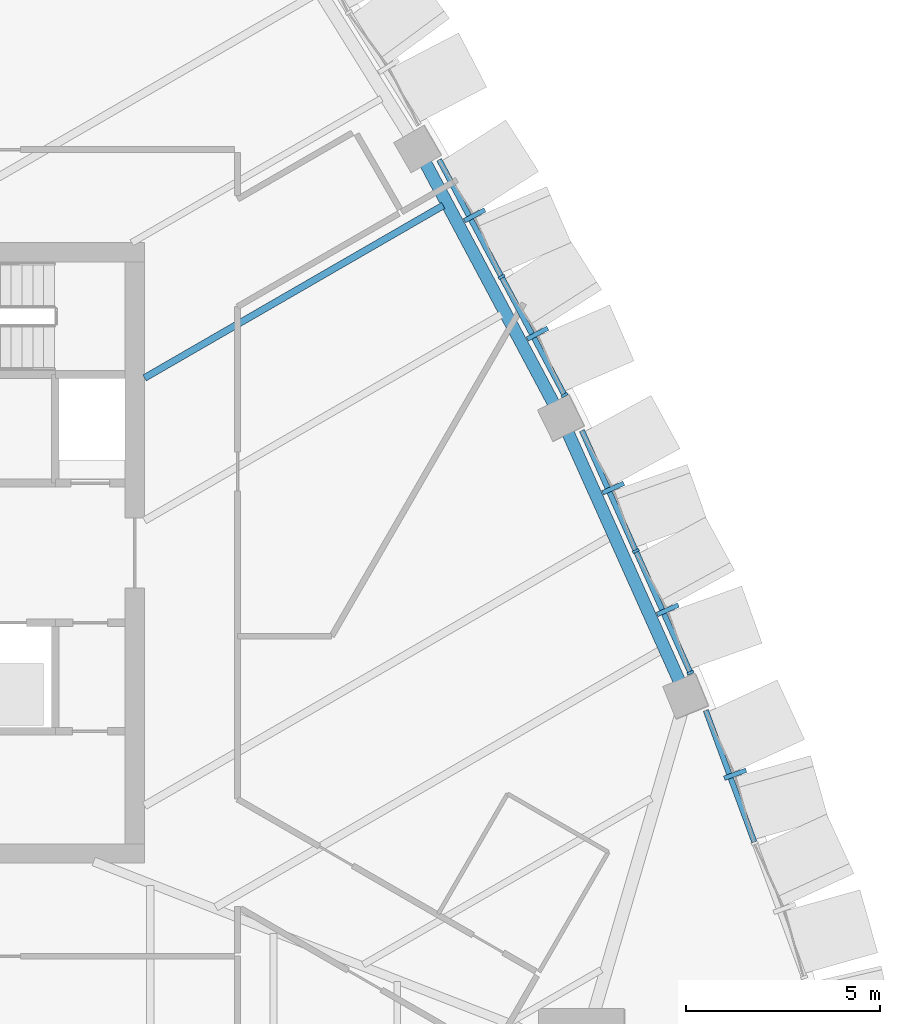
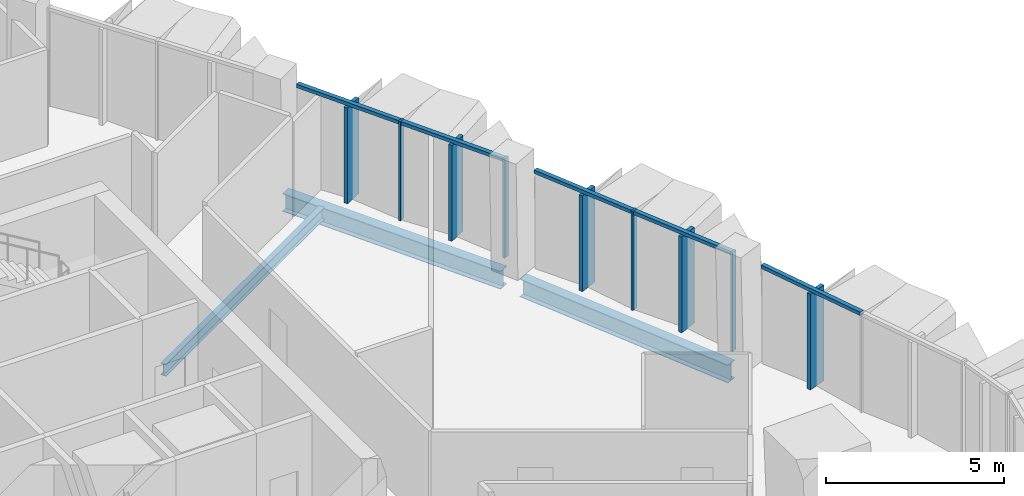
# One storey, part 5 of 19: 14 members, 3 beams, 3 elements without a shape of their own.
"""IFC4 building model written with IfcOpenShell, lengths in metres."""

import ifcopenshell
import ifcopenshell.guid

model = None  # the IFC model being written
_history = None  # IfcOwnerHistory: only IFC2X3 demands one
_inside = {}  # id of a spatial element -> (the spatial element, [elements in it])
_under = {}  # id of a project, library or spatial element -> (it, [spatial elements below it])
_declared = {}  # id of a project -> (the project, [libraries it declares])
_typed = {}  # id of a type object -> (the type object, [elements of that type])
_made_of = {}  # id of a material, layer set ... -> (it, [elements and type objects made of it])


def new_model(schema):
    """Start an empty IFC model of exactly this schema.

    Asked for "IFC4X3", IfcOpenShell would pick the latest addendum, in which some entities
    have other attributes; the version numbers below select the first issue.
    IFC2X3 requires an IfcOwnerHistory on every rooted entity: one is made here for all.
    """
    global model, _history
    if schema == "IFC4X3":
        model = ifcopenshell.file(schema_version=(4, 3, 0, 0))
    else:
        model = ifcopenshell.file(schema=schema)
    _inside.clear()
    _under.clear()
    _declared.clear()
    _typed.clear()
    _made_of.clear()
    _history = None
    if model.schema == "IFC2X3":
        org = make("IfcOrganization", Name="unknown")
        user = make(
            "IfcPersonAndOrganization",
            ThePerson=make("IfcPerson", FamilyName="unknown"),
            TheOrganization=org,
        )
        app = make(
            "IfcApplication",
            ApplicationDeveloper=org,
            Version="unknown",
            ApplicationFullName="unknown",
            ApplicationIdentifier="unknown",
        )
        _history = make(
            "IfcOwnerHistory",
            OwningUser=user,
            OwningApplication=app,
            ChangeAction="ADDED",
            CreationDate=0,
        )
    return model


def make(cls, **values):
    """One entity of the class cls with the attributes given. An attribute that is None is left unset."""
    return model.create_entity(
        cls, **{name: value for name, value in values.items() if value is not None}
    )


def rooted(cls, **values):
    """An entity with a GlobalId (a new one), such as an element, a storey or a relation."""
    return make(cls, GlobalId=ifcopenshell.guid.new(), OwnerHistory=_history, **values)


def si_unit(unit_type, name, prefix=None):
    """IfcSIUnit, for example si_unit("LENGTHUNIT", "METRE", prefix="MILLI")."""
    return make("IfcSIUnit", UnitType=unit_type, Prefix=prefix, Name=name)


def assignment(units):
    """IfcUnitAssignment: the units of a project."""
    return None if units is None else make("IfcUnitAssignment", Units=units)


def point(xyz):
    """IfcCartesianPoint."""
    return None if xyz is None else make("IfcCartesianPoint", Coordinates=xyz)


def direction(xyz):
    """IfcDirection."""
    return None if xyz is None else make("IfcDirection", DirectionRatios=xyz)


def frame(location, z_axis=None, x_axis=None):
    """IfcAxis2Placement3D, a coordinate frame: its origin and axes. An axis left out is left unset."""
    return make(
        "IfcAxis2Placement3D",
        Location=point(location),
        Axis=direction(z_axis),
        RefDirection=direction(x_axis),
    )


def frame_2d(location, x_axis=None):
    """IfcAxis2Placement2D, a coordinate frame in the plane: its origin and x axis."""
    return make(
        "IfcAxis2Placement2D", Location=point(location), RefDirection=direction(x_axis)
    )


def origin():
    """The frame at (0, 0, 0) with its axes left unset."""
    return frame((0.0, 0.0, 0.0))


def origin_2d():
    """The frame at (0, 0) in the plane with its x axis left unset."""
    return frame_2d((0.0, 0.0))


def place(relative_to, where):
    """IfcLocalPlacement: puts the frame where relative to a parent placement (None: the world)."""
    return make(
        "IfcLocalPlacement", PlacementRelTo=relative_to, RelativePlacement=where
    )


def context(
    kind, dimensions, precision=None, world=None, true_north=None, identifier=None
):
    """IfcGeometricRepresentationContext, for example the 3D "Model" context."""
    return make(
        "IfcGeometricRepresentationContext",
        ContextIdentifier=identifier,
        ContextType=kind,
        CoordinateSpaceDimension=dimensions,
        Precision=precision,
        WorldCoordinateSystem=world,
        TrueNorth=true_north,
    )


def subcontext(parent, identifier, kind, view, scale=None):
    """IfcGeometricRepresentationSubContext, for example "Body" below "Model"."""
    return make(
        "IfcGeometricRepresentationSubContext",
        ContextIdentifier=identifier,
        ContextType=kind,
        ParentContext=parent,
        TargetScale=scale,
        TargetView=view,
    )


def project(units=None, contexts=None):
    """IfcProject with its units and contexts."""
    return rooted(
        "IfcProject",
        Name="project",
        RepresentationContexts=contexts,
        UnitsInContext=assignment(units),
    )


def spatial(cls, under=None, at=None, **own):
    """A site, building, storey or space (cls), placed at a placement, below another one or the project."""
    s = rooted(cls, ObjectPlacement=at, **own)
    if under is not None:
        _under.setdefault(under.id(), (under, []))[1].append(s)
    return s


def profile(cls, at=None, kind="AREA", **sizes):
    """A parametric profile (cls). Its sizes go by their IFC names, for example OverallWidth=200.0."""
    return make(cls, ProfileType=kind, Position=at, **sizes)


def rectangle(**sizes):
    """IfcRectangleProfileDef."""
    return profile("IfcRectangleProfileDef", **sizes)


def i_section(**sizes):
    """IfcIShapeProfileDef."""
    return profile("IfcIShapeProfileDef", **sizes)


def extrude(swept, where, along, depth):
    """IfcExtrudedAreaSolid: the profile swept, set in the frame where, extruded along a direction by depth."""
    return make(
        "IfcExtrudedAreaSolid",
        SweptArea=swept,
        Position=where,
        ExtrudedDirection=direction(along),
        Depth=depth,
    )


def shape(context_of_items, identifier, shape_type, items):
    """IfcShapeRepresentation: the items that make up one representation, for example the "Body"."""
    return make(
        "IfcShapeRepresentation",
        ContextOfItems=context_of_items,
        RepresentationIdentifier=identifier,
        RepresentationType=shape_type,
        Items=items,
    )


def material(Name=None, Category=None):
    """IfcMaterial."""
    return make("IfcMaterial", Name=Name, Category=Category)


def layer(
    of_material, thickness, ventilated=None, Name=None, Category=None, Priority=None
):
    """IfcMaterialLayer: one layer of a wall or slab, of a material (None: an air gap)."""
    return make(
        "IfcMaterialLayer",
        Material=of_material,
        LayerThickness=thickness,
        IsVentilated=ventilated,
        Name=Name,
        Category=Category,
        Priority=Priority,
    )


def layer_set(layers, Name=None):
    """IfcMaterialLayerSet."""
    return make("IfcMaterialLayerSet", MaterialLayers=layers, LayerSetName=Name)


def material_profile(
    of_material, cross_section, Name=None, Category=None, Priority=None
):
    """IfcMaterialProfile: a cross section and its material."""
    return make(
        "IfcMaterialProfile",
        Name=Name,
        Material=of_material,
        Profile=cross_section,
        Priority=Priority,
        Category=Category,
    )


def profile_set(profiles, Name=None, composite=None):
    """IfcMaterialProfileSet."""
    return make(
        "IfcMaterialProfileSet",
        Name=Name,
        MaterialProfiles=profiles,
        CompositeProfile=composite,
    )


def made_of(thing, what):
    """Note that an element or type object is made of a material, layer set ...; save() writes the relation."""
    if what is not None:
        _made_of.setdefault(what.id(), (what, []))[1].append(thing)
    return thing


def type_object(cls, material=None, **own):
    """A type object (cls), such as IfcWallType, which elements share."""
    return made_of(rooted(cls, **own), material)


def element(
    cls,
    number,
    at=None,
    inside=None,
    cuts=None,
    type_object=None,
    material=None,
    context=None,
    identifier="Body",
    shape_type=None,
    held_by="IfcProductDefinitionShape",
    body=None,
    shapes=None,
    **own,
):
    """One element of the class cls, such as IfcWall. Its Tag is "e" and its number.

    at: its placement. inside: the storey or other place that contains it. cuts: it is an
    opening in that element (IfcRelVoidsElement). A single representation is given by context,
    identifier, shape_type and body (its items); several are given by shapes. held_by: the class
    of the entity that holds the representations. save() writes the other relations.
    """
    e = rooted(cls, Tag="e%d" % number, ObjectPlacement=at, **own)
    if body is not None:
        shapes = [shape(context, identifier, shape_type, body)]
    if shapes is not None:
        e.Representation = make(held_by, Representations=shapes)
    if inside is not None:
        _inside.setdefault(inside.id(), (inside, []))[1].append(e)
    if cuts is not None:
        rooted(
            "IfcRelVoidsElement", RelatingBuildingElement=cuts, RelatedOpeningElement=e
        )
    if type_object is not None:
        _typed.setdefault(type_object.id(), (type_object, []))[1].append(e)
    return made_of(e, material)


def aggregate(whole, parts):
    """IfcRelAggregates: a whole, such as a stair, and the parts it consists of."""
    return rooted("IfcRelAggregates", RelatingObject=whole, RelatedObjects=parts)


def save(model, path):
    """Write the relations noted so far, then the file.

    IfcRelAggregates (storeys below a building ...), IfcRelContainedInSpatialStructure (elements
    in a storey), IfcRelDefinesByType, IfcRelAssociatesMaterial and IfcRelDeclares: one each for
    every whole, place, type object, material and project.
    """
    for whole, parts in _under.values():
        aggregate(whole, parts)
    for where, things in _inside.values():
        rooted(
            "IfcRelContainedInSpatialStructure",
            RelatedElements=things,
            RelatingStructure=where,
        )
    for kind, things in _typed.values():
        rooted("IfcRelDefinesByType", RelatedObjects=things, RelatingType=kind)
    for what, things in _made_of.values():
        rooted("IfcRelAssociatesMaterial", RelatedObjects=things, RelatingMaterial=what)
    for by, libraries in _declared.values():
        rooted("IfcRelDeclares", RelatingContext=by, RelatedDefinitions=libraries)
    model.write(path)


model = new_model("IFC4")

# Units and contexts
model_context = context("Model", 3, precision=1e-05, world=origin(), true_north=direction((0.0, 1.0)))
body_context = subcontext(model_context, "Body", "Model", "MODEL_VIEW")
ifc_project = project(units=[si_unit("LENGTHUNIT", "METRE"), si_unit("AREAUNIT", "SQUARE_METRE"), si_unit("VOLUMEUNIT", "CUBIC_METRE"), si_unit("PLANEANGLEUNIT", "RADIAN"), si_unit("MASSUNIT", "GRAM", prefix="KILO")], contexts=[model_context])

# Site, building, storey
site_placement = place(None, origin())
site = spatial("IfcSite", under=ifc_project, at=site_placement, CompositionType="ELEMENT")
building_placement = place(site_placement, origin())
building = spatial("IfcBuilding", under=site, at=building_placement, Name="Sierra Prisma Convention Tower", CompositionType="ELEMENT")
storey_placement = place(building_placement, frame((0.0, 0.0, 231.0)))
storey = spatial("IfcBuildingStorey", under=building, at=storey_placement, Name="L51", CompositionType="ELEMENT", Elevation=231.0)

# Curtain wall, member
ifc_material_1 = material(Name="Aluminium and glass curtain wall", Category="aluminium")
ifc_layer = layer(ifc_material_1, 0.179931640625)
ifc_layer_set = layer_set([ifc_layer], Name="CW-2 Faceted crystal curtain wall")
curtain_wall_type = type_object("IfcCurtainWallType", Name="CW-2 Faceted crystal curtain wall", PredefinedType="NOTDEFINED", material=ifc_layer_set)
curtain_wall_1_placement = place(storey_placement, origin())
curtain_wall_1 = element("IfcCurtainWall", 1, at=curtain_wall_1_placement, inside=storey, type_object=curtain_wall_type, Name="CW-2 NE1 L51", PredefinedType="NOTDEFINED")
ifc_material_2 = material(Name="Aluminium 6063-T6 bronze anodised", Category="aluminium")
ifc_material_profile_1 = material_profile(ifc_material_2, rectangle(XDim=0.1201171875, YDim=0.60009765625, at=origin_2d()), Name="ALU RIDGE BLADE 120x600")
ifc_profile_set_1 = profile_set([ifc_material_profile_1], Name="Aluminium 6063-T6 bronze anodised")
member_type_1 = type_object("IfcMemberType", Name="CW hip bronze", PredefinedType="MULLION", material=ifc_profile_set_1)
member_1_placement = place(storey_placement, frame((26.23193359375, -5.70654296875, 0.0), z_axis=(0.0, 0.0, 1.0), x_axis=(-0.345938889556, 0.938257046173, 0.0)))
member_1 = element("IfcMember", 2, at=member_1_placement, type_object=member_type_1, Name="CW-2 ridge NE1.2", PredefinedType="MULLION", context=body_context, shape_type="SweptSolid", body=[
    extrude(rectangle(XDim=0.1201171875, YDim=0.60009765625, at=origin_2d()), origin(), (0.0, 0.0, 1.0), 3.280029296875),
])

# Curtain wall, members
curtain_wall_2_placement = place(storey_placement, origin())
curtain_wall_2 = element("IfcCurtainWall", 3, at=curtain_wall_2_placement, inside=storey, type_object=curtain_wall_type, Name="CW-2 NE2 L51", PredefinedType="NOTDEFINED")
member_2_placement = place(storey_placement, frame((24.494140625, -1.46533203125, 0.0), z_axis=(0.0, 0.0, 1.0), x_axis=(-0.409022933289, 0.912524103815, 0.0)))
member_2 = element("IfcMember", 4, at=member_2_placement, type_object=member_type_1, Name="CW-2 ridge NE2.1", PredefinedType="MULLION", context=body_context, shape_type="SweptSolid", body=[
    extrude(rectangle(XDim=0.1201171875, YDim=0.60009765625, at=origin_2d()), origin(), (0.0, 0.0, 1.0), 3.280029296875),
])
member_3_placement = place(storey_placement, frame((23.08740234375, 1.673095703125, 0.0), z_axis=(0.0, 0.0, 1.0), x_axis=(-0.409022933289, 0.912524103815, 0.0)))
member_3 = element("IfcMember", 5, at=member_3_placement, type_object=member_type_1, Name="CW-2 ridge NE2.2", PredefinedType="MULLION", context=body_context, shape_type="SweptSolid", body=[
    extrude(rectangle(XDim=0.1201171875, YDim=0.60009765625, at=origin_2d()), origin(), (0.0, 0.0, 1.0), 3.280029296875),
])

curtain_wall_3_placement = place(storey_placement, origin())
curtain_wall_3 = element("IfcCurtainWall", 6, at=curtain_wall_3_placement, inside=storey, type_object=curtain_wall_type, Name="CW-2 NE3 L51", PredefinedType="NOTDEFINED")
member_4_placement = place(storey_placement, frame((21.13623046875, 5.656982421875, 0.0), z_axis=(0.0, 0.0, 1.0), x_axis=(-0.470208382184, 0.882555424506, 0.0)))
member_4 = element("IfcMember", 7, at=member_4_placement, type_object=member_type_1, Name="CW-2 ridge NE3.1", PredefinedType="MULLION", context=body_context, shape_type="SweptSolid", body=[
    extrude(rectangle(XDim=0.1201171875, YDim=0.60009765625, at=origin_2d()), origin(), (0.0, 0.0, 1.0), 3.280029296875),
])
member_5_placement = place(storey_placement, frame((19.511474609375, 8.706298828125, 0.0), z_axis=(0.0, 0.0, 1.0), x_axis=(-0.470208382184, 0.882555424506, 0.0)))
member_5 = element("IfcMember", 8, at=member_5_placement, type_object=member_type_1, Name="CW-2 ridge NE3.2", PredefinedType="MULLION", context=body_context, shape_type="SweptSolid", body=[
    extrude(rectangle(XDim=0.1201171875, YDim=0.60009765625, at=origin_2d()), origin(), (0.0, 0.0, 1.0), 3.280029296875),
])

# Member
ifc_material_3 = material(Name="Aluminium 6063-T6 bronze anodised", Category="aluminium")
ifc_material_profile_2 = material_profile(ifc_material_3, rectangle(XDim=0.179931640625, YDim=0.070068359375, at=origin_2d()), Name="ALU MULLION 70x180")
ifc_profile_set_2 = profile_set([ifc_material_profile_2], Name="Aluminium 6063-T6 bronze anodised")
member_type_2 = type_object("IfcMemberType", Name="CW mullion bronze", PredefinedType="MULLION", material=ifc_profile_set_2)
member_6_placement = place(storey_placement, frame((25.07666015625, -3.088623046875, 0.0), z_axis=(0.0, 0.0, 1.0), x_axis=(-0.912524103815, -0.409022933289, 0.0)))
member_6 = element("IfcMember", 9, at=member_6_placement, type_object=member_type_2, Name="CW-1 mullion NE2.1", PredefinedType="MULLION", context=body_context, shape_type="SweptSolid", body=[
    extrude(rectangle(XDim=0.179931640625, YDim=0.070068359375, at=origin_2d()), origin(), (0.0, 0.0, 1.0), 3.39990234375),
])

member_7_placement = place(storey_placement, frame((23.669921875, 0.0498046875, 0.0), z_axis=(0.0, 0.0, 1.0), x_axis=(-0.912524103815, -0.409022933289, 0.0)))
member_7 = element("IfcMember", 10, at=member_7_placement, type_object=member_type_2, Name="CW-1 mullion NE2.2", PredefinedType="MULLION", context=body_context, shape_type="SweptSolid", body=[
    extrude(rectangle(XDim=0.179931640625, YDim=0.070068359375, at=origin_2d()), origin(), (0.0, 0.0, 1.0), 3.39990234375),
])

member_8_placement = place(storey_placement, frame((21.8310546875, 4.069580078125, 0.0), z_axis=(0.0, 0.0, 1.0), x_axis=(-0.882555424506, -0.470208382184, 0.0)))
member_8 = element("IfcMember", 11, at=member_8_placement, type_object=member_type_2, Name="CW-1 mullion NE3.1", PredefinedType="MULLION", context=body_context, shape_type="SweptSolid", body=[
    extrude(rectangle(XDim=0.179931640625, YDim=0.070068359375, at=origin_2d()), origin(), (0.0, 0.0, 1.0), 3.39990234375),
])

member_9_placement = place(storey_placement, frame((20.206298828125, 7.118896484375, 0.0), z_axis=(0.0, 0.0, 1.0), x_axis=(-0.882555424506, -0.470208382184, 0.0)))
member_9 = element("IfcMember", 12, at=member_9_placement, type_object=member_type_2, Name="CW-1 mullion NE3.2", PredefinedType="MULLION", context=body_context, shape_type="SweptSolid", body=[
    extrude(rectangle(XDim=0.179931640625, YDim=0.070068359375, at=origin_2d()), origin(), (0.0, 0.0, 1.0), 3.39990234375),
])

ifc_material_4 = material(Name="Aluminium 6063-T6 bronze anodised", Category="aluminium")
ifc_material_profile_3 = material_profile(ifc_material_4, rectangle(XDim=0.139892578125, YDim=0.1201171875, at=origin_2d()), Name="ALU TRANSOM 120x140")
ifc_profile_set_3 = profile_set([ifc_material_profile_3], Name="Aluminium 6063-T6 bronze anodised")
member_type_3 = type_object("IfcMemberType", Name="CW transom bronze", PredefinedType="USERDEFINED", material=ifc_profile_set_3)
member_10_placement = place(storey_placement, frame((26.723876953125, -7.452392578125, 3.340087890625), z_axis=(-0.345924347233, 0.938262407854, 0.0), x_axis=(-0.938262407854, -0.345924347233, 0.0)))
member_10 = element("IfcMember", 13, at=member_10_placement, type_object=member_type_3, Name="CW-1 transom NE1.2", ObjectType="TRANSOM", PredefinedType="USERDEFINED", context=body_context, shape_type="SweptSolid", body=[
    extrude(rectangle(XDim=0.139892578125, YDim=0.1201171875, at=origin_2d()), origin(), (0.0, 0.0, 1.0), 3.6162109375),
])

aggregate(curtain_wall_1, [member_10, member_1])

member_11_placement = place(storey_placement, frame((25.062255859375, -3.056640625, 3.340087890625), z_axis=(-0.409047581716, 0.91251305519, 0.0), x_axis=(-0.91251305519, -0.409047581716, 0.0)))
member_11 = element("IfcMember", 14, at=member_11_placement, type_object=member_type_3, Name="CW-1 transom NE2.1", ObjectType="TRANSOM", PredefinedType="USERDEFINED", context=body_context, shape_type="SweptSolid", body=[
    extrude(rectangle(XDim=0.139892578125, YDim=0.1201171875, at=origin_2d()), origin(), (0.0, 0.0, 1.0), 3.369140625),
])

member_12_placement = place(storey_placement, frame((23.655517578125, 0.081787109375, 3.340087890625), z_axis=(-0.409047581716, 0.91251305519, 0.0), x_axis=(-0.91251305519, -0.409047581716, 0.0)))
member_12 = element("IfcMember", 15, at=member_12_placement, type_object=member_type_3, Name="CW-1 transom NE2.2", ObjectType="TRANSOM", PredefinedType="USERDEFINED", context=body_context, shape_type="SweptSolid", body=[
    extrude(rectangle(XDim=0.139892578125, YDim=0.1201171875, at=origin_2d()), origin(), (0.0, 0.0, 1.0), 3.369140625),
])

aggregate(curtain_wall_2, [member_6, member_7, member_11, member_2, member_12, member_3])

member_13_placement = place(storey_placement, frame((21.814453125, 4.100341796875, 3.340087890625), z_axis=(-0.470198910673, 0.882560470677, 0.0), x_axis=(-0.882560470677, -0.470198910673, 0.0)))
member_13 = element("IfcMember", 16, at=member_13_placement, type_object=member_type_3, Name="CW-1 transom NE3.1", ObjectType="TRANSOM", PredefinedType="USERDEFINED", context=body_context, shape_type="SweptSolid", body=[
    extrude(rectangle(XDim=0.139892578125, YDim=0.1201171875, at=origin_2d()), origin(), (0.0, 0.0, 1.0), 3.38525390625),
])

member_14_placement = place(storey_placement, frame((20.18994140625, 7.14990234375, 3.340087890625), z_axis=(-0.470228839096, 0.882544525156, 0.0), x_axis=(-0.882544525156, -0.470228839096, 0.0)))
member_14 = element("IfcMember", 17, at=member_14_placement, type_object=member_type_3, Name="CW-1 transom NE3.2", ObjectType="TRANSOM", PredefinedType="USERDEFINED", context=body_context, shape_type="SweptSolid", body=[
    extrude(rectangle(XDim=0.139892578125, YDim=0.1201171875, at=origin_2d()), origin(), (0.0, 0.0, 1.0), 3.38525390625),
])

aggregate(curtain_wall_3, [member_8, member_9, member_13, member_4, member_14, member_5])

# Beams
ifc_material_5 = material(Name="Steel ASTM A992 Gr 50", Category="steel")
ifc_material_profile_4 = material_profile(ifc_material_5, i_section(OverallWidth=0.177978515625, OverallDepth=0.406982421875, WebThickness=0.0078125, FlangeThickness=0.0126953125, at=origin_2d()), Name="W410x60")
ifc_profile_set_4 = profile_set([ifc_material_profile_4], Name="Steel ASTM A992 Gr 50")
beam_type_1 = type_object("IfcBeamType", Name="Floor joist W410x60", PredefinedType="JOIST", material=ifc_profile_set_4)
beam_placement = place(storey_placement, frame((18.7021484375, 8.958984375, -0.353515625), z_axis=(-0.866028331371, -0.499994929238, 0.0), x_axis=(0.499994929238, -0.866028331371, 0.0)))
element("IfcBeam", 18, at=beam_placement, inside=storey, type_object=beam_type_1, Name="Floor joist L51 NE07", PredefinedType="JOIST", context=body_context, shape_type="SweptSolid", body=[
    extrude(i_section(OverallWidth=0.177978515625, OverallDepth=0.406982421875, WebThickness=0.0078125, FlangeThickness=0.0126953125, at=origin_2d()), origin(), (0.0, 0.0, 1.0), 8.8935546875),
])
ifc_material_6 = material(Name="Steel ASTM A992 Gr 50", Category="steel")
ifc_material_profile_5 = material_profile(ifc_material_6, i_section(OverallWidth=0.324951171875, OverallDepth=0.615966796875, WebThickness=0.013916015625, FlangeThickness=0.021484375, at=origin_2d()), Name="W610x174")
ifc_profile_set_5 = profile_set([ifc_material_profile_5], Name="Steel ASTM A992 Gr 50")
beam_type_2 = type_object("IfcBeamType", Name="Spandrel beam W610x174", PredefinedType="BEAM", material=ifc_profile_set_5)
for number, where, z_axis, x_axis, name in (
    (19, (24.833740234375, -3.40234375, -0.4580078125), (-0.409002417148, 0.912533299539, 0.0), (-0.912533299539, -0.409002417148, 0.0), "Spandrel L51-08"),
    (20, (21.59521484375, 3.768310546875, -0.4580078125), (-0.47021726443, 0.88255069216, 0.0), (-0.88255069216, -0.47021726443, 0.0), "Spandrel L51-09"),
):
    element("IfcBeam", number, at=place(storey_placement, frame(where, z_axis=z_axis, x_axis=x_axis)), inside=storey, type_object=beam_type_2, Name=name, PredefinedType="BEAM", context=body_context, shape_type="SweptSolid", body=[
        extrude(i_section(OverallWidth=0.324951171875, OverallDepth=0.615966796875, WebThickness=0.013916015625, FlangeThickness=0.021484375, at=origin_2d()), origin(), (0.0, 0.0, 1.0), 7.208251953125),
    ])

save(model, "model.ifc")
